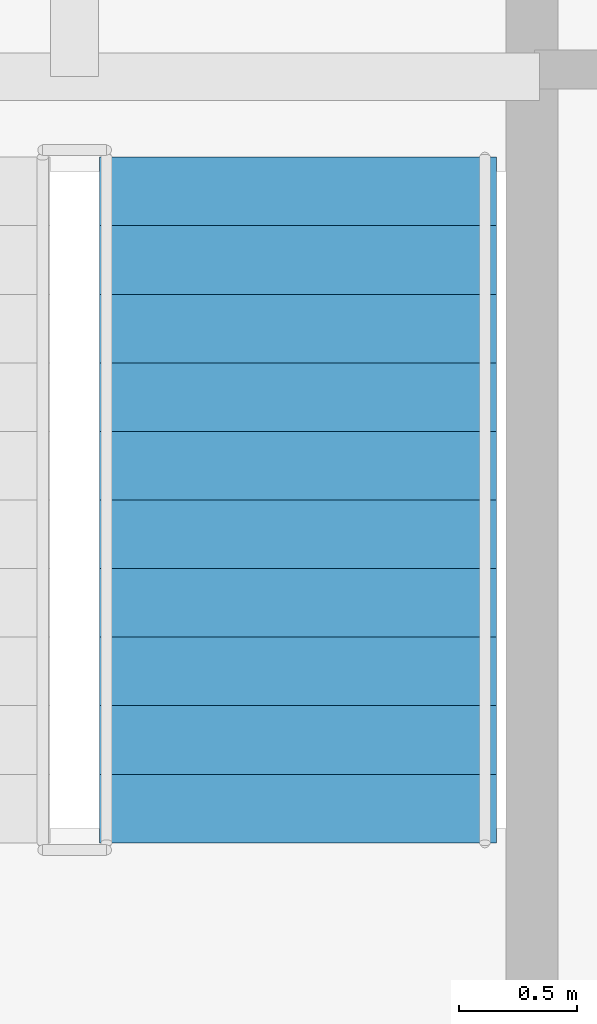
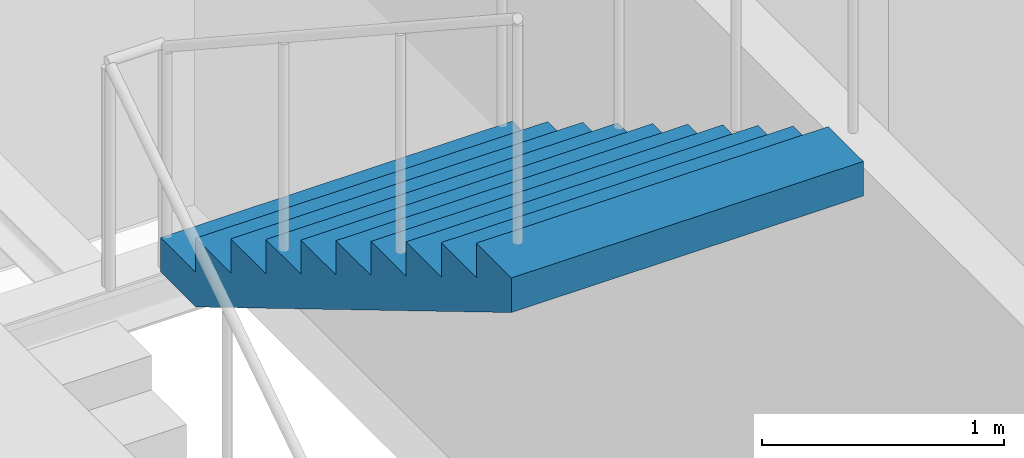
# One storey, part 7 of 12: 1 stair flight, 1 element without a shape of its own.
"""IFC4 building model written with IfcOpenShell, lengths in metres."""

from ifc_helpers import new_model, si_unit, direction, frame, origin, place, context, subcontext, project, spatial, polyline, outline, extrude, material, type_object, element, aggregate, save


model = new_model("IFC4")

# Units and contexts
model_context = context("Model", 3, precision=1e-05, world=origin(), true_north=direction((0.0, 1.0)))
body_context = subcontext(model_context, "Body", "Model", "MODEL_VIEW")
ifc_project = project(units=[si_unit("LENGTHUNIT", "METRE"), si_unit("AREAUNIT", "SQUARE_METRE"), si_unit("VOLUMEUNIT", "CUBIC_METRE"), si_unit("PLANEANGLEUNIT", "RADIAN"), si_unit("MASSUNIT", "GRAM", prefix="KILO")], contexts=[model_context])

# Site, building, storey
site_placement = place(None, origin())
site = spatial("IfcSite", under=ifc_project, at=site_placement, CompositionType="ELEMENT")
building_placement = place(site_placement, origin())
building = spatial("IfcBuilding", under=site, at=building_placement, Name="Norrvale University Quadrangle", CompositionType="ELEMENT")
storey_placement = place(building_placement, frame((0.0, 0.0, 143.199951171875)))
storey = spatial("IfcBuildingStorey", under=building, at=storey_placement, Name="L36", CompositionType="ELEMENT", Elevation=143.199951171875)

# Stair, stair flight
ifc_material = material(Name="Concrete C40/50", Category="concrete")
stair_type = type_object("IfcStairType", Name="Stair Tower Typ 3800", PredefinedType="TWO_STRAIGHT_RUN_STAIR", material=ifc_material)
stair_placement = place(storey_placement, origin())
stair = element("IfcStair", 1, at=stair_placement, inside=storey, type_object=stair_type, Name="Exit Stair ST-02 L36", PredefinedType="TWO_STRAIGHT_RUN_STAIR")
stair_flight_type = type_object("IfcStairFlightType", Name="Flight Typ 1500", PredefinedType="STRAIGHT", material=ifc_material)
stair_flight_placement = place(storey_placement, frame((5.320068359375, 44.949951171875, 1.900146484375), z_axis=(0.0, 0.0, 1.0), x_axis=(0.0, -1.0, 0.0)))
stair_flight = element("IfcStairFlight", 2, at=stair_flight_placement, type_object=stair_flight_type, Name="Exit Stair ST-02 L36 Upper Flight", NumberOfRisers=11, NumberOfTreads=10, PredefinedType="STRAIGHT", RiserHeight=0.172727, TreadLength=0.29, context=body_context, shape_type="SweptSolid", body=[
    extrude(outline(polyline([(0.0, 0.0), (0.0, 0.172607421875), (0.2900390625, 0.172607421875), (0.2900390625, 0.345458984375), (0.580078125, 0.345458984375), (0.580078125, 0.51806640625), (0.8701171875, 0.51806640625), (0.8701171875, 0.69091796875), (1.159912109375, 0.69091796875), (1.159912109375, 0.863525390625), (1.449951171875, 0.863525390625), (1.449951171875, 1.036376953125), (1.739990234375, 1.036376953125), (1.739990234375, 1.208984375), (2.030029296875, 1.208984375), (2.030029296875, 1.3818359375), (2.320068359375, 1.3818359375), (2.320068359375, 1.554443359375), (2.610107421875, 1.554443359375), (2.610107421875, 1.727294921875), (2.89990234375, 1.727294921875), (2.89990234375, 1.89990234375), (2.89990234375, 1.552734375), (0.29296875, 0.0), (0.0, 0.0)])), frame((0.0, 0.83984375, 0.0), z_axis=(0.0, -1.0, 0.0), x_axis=(1.0, 0.0, 0.0)), (0.0, 0.0, 1.0), 1.679931640625),
])
aggregate(stair, [stair_flight])

save(model, "model.ifc")
